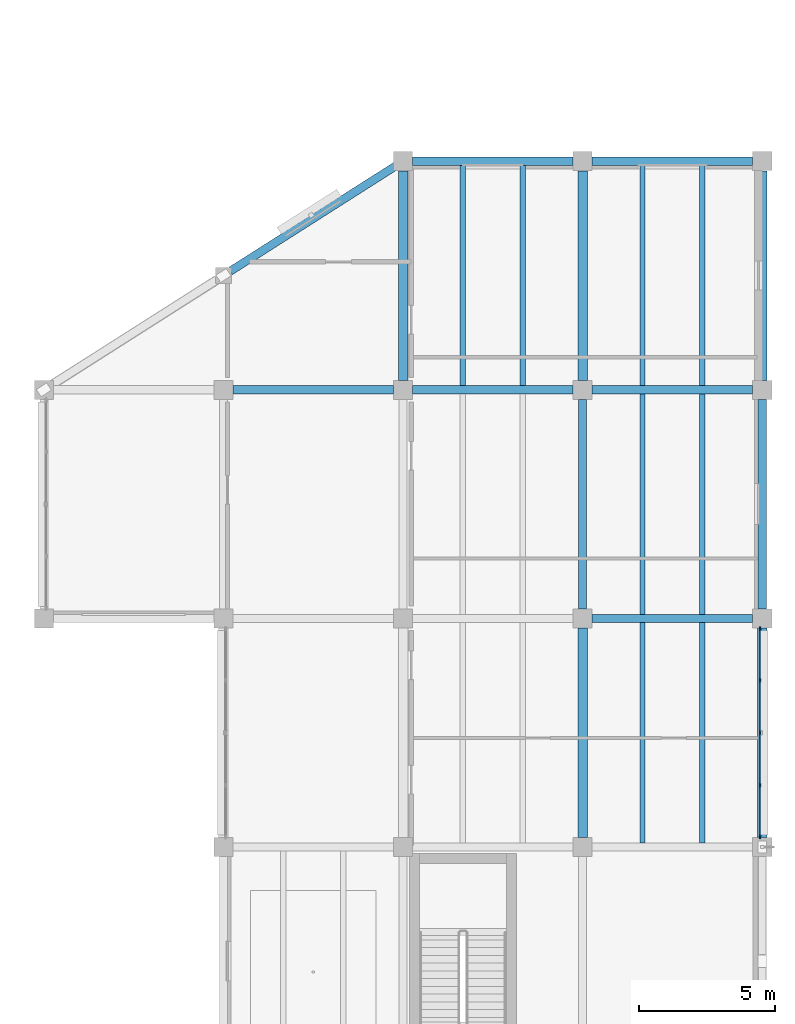
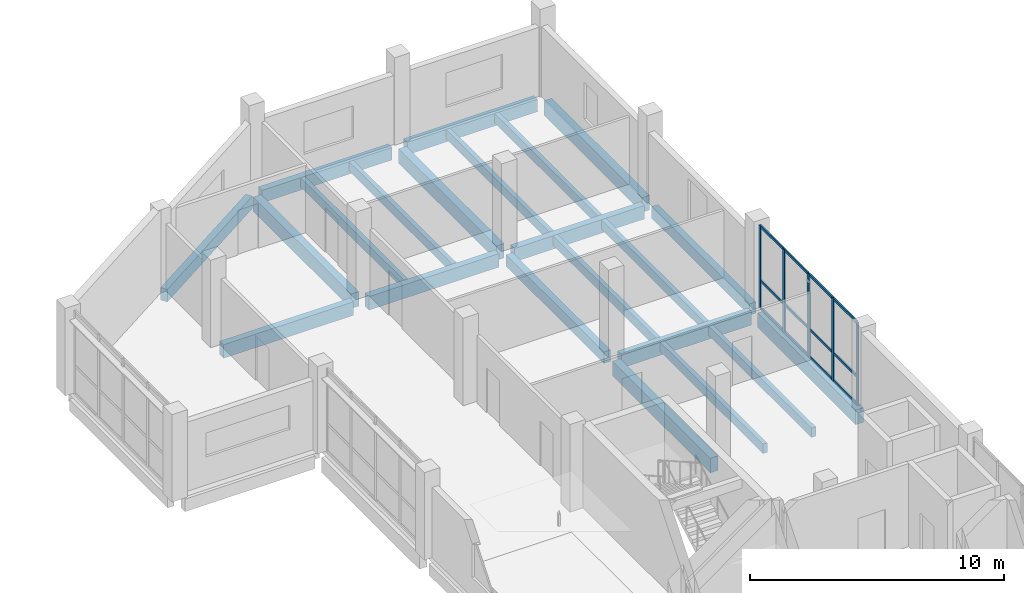
# One storey, part 5 of 19: 22 beams, 17 members, 1 element without a shape of its own.
"""IFC4 building model written with IfcOpenShell, lengths in metres."""

from ifc_helpers import new_model, si_unit, direction, frame, origin, origin_2d, place, context, subcontext, project, spatial, rectangle, extrude, material, material_profile, profile_set, type_object, element, aggregate, save


model = new_model("IFC4")

# Units and contexts
model_context = context("Model", 3, precision=1e-05, world=origin(), true_north=direction((0.0, 1.0)))
body_context = subcontext(model_context, "Body", "Model", "MODEL_VIEW")
ifc_project = project(units=[si_unit("LENGTHUNIT", "METRE"), si_unit("AREAUNIT", "SQUARE_METRE"), si_unit("VOLUMEUNIT", "CUBIC_METRE"), si_unit("PLANEANGLEUNIT", "RADIAN"), si_unit("MASSUNIT", "GRAM", prefix="KILO")], contexts=[model_context])

# Site, building, storey
site_placement = place(None, origin())
site = spatial("IfcSite", under=ifc_project, at=site_placement, CompositionType="ELEMENT")
building_placement = place(site_placement, origin())
building = spatial("IfcBuilding", under=site, at=building_placement, Name="Qaldarim Faculty of Natural and Applied Sciences", CompositionType="ELEMENT")
storey_placement = place(building_placement, frame((0.0, 0.0, 27.0)))
storey = spatial("IfcBuildingStorey", under=building, at=storey_placement, Name="L06", CompositionType="ELEMENT", Elevation=27.0)

# Beams
ifc_material_1 = material(Name="Concrete C40/50", Category="concrete")
ifc_material_profile_1 = material_profile(ifc_material_1, rectangle(XDim=0.300048828125, YDim=0.550048828125, at=origin_2d()), Name="RC-B300x550")
ifc_profile_set_1 = profile_set([ifc_material_profile_1], Name="Concrete C40/50")
beam_type_1 = type_object("IfcBeamType", Name="FloorBeam-RC300x550", PredefinedType="BEAM", material=ifc_profile_set_1)
for number, where, z_axis, x_axis, name in (
    (1, (171.60009765625, 42.35009765625, -0.4951171875), (0.0, 1.0, 0.0), (-1.0, 0.0, 0.0), "Beam RC-B300x550 L05 X27/Y06-Y07"),
    (2, (178.199951171875, 42.35009765625, -0.4951171875), (0.0, 1.0, 0.0), (-1.0, 0.0, 0.0), "Beam RC-B300x550 L05 X28/Y06-Y07"),
):
    element("IfcBeam", number, at=place(storey_placement, frame(where, z_axis=z_axis, x_axis=x_axis)), inside=storey, type_object=beam_type_1, Name=name, PredefinedType="BEAM", context=body_context, shape_type="SweptSolid", body=[
        extrude(rectangle(XDim=0.300048828125, YDim=0.550048828125, at=origin_2d()), origin(), (0.0, 0.0, 1.0), 7.699951171875),
    ])
ifc_material_profile_2 = material_profile(ifc_material_1, rectangle(XDim=0.199951171875, YDim=0.449951171875, at=origin_2d()), Name="RC-J200x450")
ifc_profile_set_2 = profile_set([ifc_material_profile_2], Name="Concrete C40/50")
beam_type_2 = type_object("IfcBeamType", Name="LabJoist-RC200x450", PredefinedType="JOIST", material=ifc_profile_set_2)
for number, where, z_axis, x_axis, name in (
    (3, (167.199951171875, 50.550048828125, -0.445068359375), (0.0, 1.0, 0.0), (-1.0, 0.0, 0.0), "Laboratory joist L05 bay X26Y07-1"),
    (4, (169.39990234375, 50.550048828125, -0.445068359375), (0.0, 1.0, 0.0), (-1.0, 0.0, 0.0), "Laboratory joist L05 bay X26Y07-2"),
):
    element("IfcBeam", number, at=place(storey_placement, frame(where, z_axis=z_axis, x_axis=x_axis)), inside=storey, type_object=beam_type_2, Name=name, PredefinedType="JOIST", context=body_context, shape_type="SweptSolid", body=[
        extrude(rectangle(XDim=0.199951171875, YDim=0.449951171875, at=origin_2d()), origin(), (0.0, 0.0, 1.0), 8.099853515625),
    ])
for number, where, z_axis, x_axis, name in (
    (5, (173.800048828125, 33.75, -0.445068359375), (0.0, 1.0, 0.0), (-1.0, 0.0, 0.0), "Laboratory joist L05 bay X27Y05-1"),
    (6, (176.0, 33.75, -0.445068359375), (0.0, 1.0, 0.0), (-1.0, 0.0, 0.0), "Laboratory joist L05 bay X27Y05-2"),
    (7, (173.800048828125, 42.14990234375, -0.445068359375), (0.0, 1.0, 0.0), (-1.0, 0.0, 0.0), "Laboratory joist L05 bay X27Y06-1"),
    (8, (176.0, 42.14990234375, -0.445068359375), (0.0, 1.0, 0.0), (-1.0, 0.0, 0.0), "Laboratory joist L05 bay X27Y06-2"),
):
    element("IfcBeam", number, at=place(storey_placement, frame(where, z_axis=z_axis, x_axis=x_axis)), inside=storey, type_object=beam_type_2, Name=name, PredefinedType="JOIST", context=body_context, shape_type="SweptSolid", body=[
        extrude(rectangle(XDim=0.199951171875, YDim=0.449951171875, at=origin_2d()), origin(), (0.0, 0.0, 1.0), 8.10009765625),
    ])
for number, where, z_axis, x_axis, name in (
    (9, (173.800048828125, 50.550048828125, -0.445068359375), (0.0, 1.0, 0.0), (-1.0, 0.0, 0.0), "Laboratory joist L05 bay X27Y07-1"),
    (10, (176.0, 50.550048828125, -0.445068359375), (0.0, 1.0, 0.0), (-1.0, 0.0, 0.0), "Laboratory joist L05 bay X27Y07-2"),
):
    element("IfcBeam", number, at=place(storey_placement, frame(where, z_axis=z_axis, x_axis=x_axis)), inside=storey, type_object=beam_type_2, Name=name, PredefinedType="JOIST", context=body_context, shape_type="SweptSolid", body=[
        extrude(rectangle(XDim=0.199951171875, YDim=0.449951171875, at=origin_2d()), origin(), (0.0, 0.0, 1.0), 8.099853515625),
    ])

# Curtain wall, members
ifc_material_2 = material(Name="Anodised aluminium AW-6063", Category="aluminium")
curtain_wall_type = type_object("IfcCurtainWallType", Name="CurtainWallSystem-M1800", PredefinedType="USERDEFINED", material=ifc_material_2)
curtain_wall_placement = place(storey_placement, origin())
curtain_wall = element("IfcCurtainWall", 11, at=curtain_wall_placement, inside=storey, type_object=curtain_wall_type, Name="Curtain wall CW-L06-E-X27Y05", ObjectType="UNITISED FACADE", PredefinedType="USERDEFINED")
ifc_material_profile_3 = material_profile(ifc_material_2, rectangle(XDim=0.06005859375, YDim=0.14990234375, at=origin_2d()), Name="ALU-M60x150")
ifc_profile_set_3 = profile_set([ifc_material_profile_3], Name="Anodised aluminium AW-6063")
member_type_1 = type_object("IfcMemberType", Name="Mullion-ALU60x150", PredefinedType="MULLION", material=ifc_profile_set_3)
member_1_placement = place(storey_placement, frame((178.1201171875, 33.97509765625, 0.0), z_axis=(0.0, 0.0, 1.0), x_axis=(-1.0, 0.0, 0.0)))
member_1 = element("IfcMember", 12, at=member_1_placement, type_object=member_type_1, Name="Mullion 1 of CW-L06-E-X27Y05", PredefinedType="MULLION", context=body_context, shape_type="SweptSolid", body=[
    extrude(rectangle(XDim=0.06005859375, YDim=0.14990234375, at=origin_2d()), origin(), (0.0, 0.0, 1.0), 3.97998046875),
])
member_2_placement = place(storey_placement, frame((178.1201171875, 35.87255859375, 0.0), z_axis=(0.0, 0.0, 1.0), x_axis=(-1.0, 0.0, 0.0)))
member_2 = element("IfcMember", 13, at=member_2_placement, type_object=member_type_1, Name="Mullion 2 of CW-L06-E-X27Y05", PredefinedType="MULLION", context=body_context, shape_type="SweptSolid", body=[
    extrude(rectangle(XDim=0.06005859375, YDim=0.14990234375, at=origin_2d()), origin(), (0.0, 0.0, 1.0), 3.97998046875),
])
member_3_placement = place(storey_placement, frame((178.1201171875, 37.800048828125, 0.0), z_axis=(0.0, 0.0, 1.0), x_axis=(-1.0, 0.0, 0.0)))
member_3 = element("IfcMember", 14, at=member_3_placement, type_object=member_type_1, Name="Mullion 3 of CW-L06-E-X27Y05", PredefinedType="MULLION", context=body_context, shape_type="SweptSolid", body=[
    extrude(rectangle(XDim=0.06005859375, YDim=0.14990234375, at=origin_2d()), origin(), (0.0, 0.0, 1.0), 3.97998046875),
])
member_4_placement = place(storey_placement, frame((178.1201171875, 39.7275390625, 0.0), z_axis=(0.0, 0.0, 1.0), x_axis=(-1.0, 0.0, 0.0)))
member_4 = element("IfcMember", 15, at=member_4_placement, type_object=member_type_1, Name="Mullion 4 of CW-L06-E-X27Y05", PredefinedType="MULLION", context=body_context, shape_type="SweptSolid", body=[
    extrude(rectangle(XDim=0.06005859375, YDim=0.14990234375, at=origin_2d()), origin(), (0.0, 0.0, 1.0), 3.97998046875),
])
member_5_placement = place(storey_placement, frame((178.1201171875, 41.625, 0.0), z_axis=(0.0, 0.0, 1.0), x_axis=(-1.0, 0.0, 0.0)))
member_5 = element("IfcMember", 16, at=member_5_placement, type_object=member_type_1, Name="Mullion 5 of CW-L06-E-X27Y05", PredefinedType="MULLION", context=body_context, shape_type="SweptSolid", body=[
    extrude(rectangle(XDim=0.06005859375, YDim=0.14990234375, at=origin_2d()), origin(), (0.0, 0.0, 1.0), 3.97998046875),
])

# Beams
ifc_material_profile_4 = material_profile(ifc_material_1, rectangle(XDim=0.300048828125, YDim=0.64990234375, at=origin_2d()), Name="RC-B300x650")
ifc_profile_set_4 = profile_set([ifc_material_profile_4], Name="Concrete C40/50")
beam_type_3 = type_object("IfcBeamType", Name="PrimaryBeam-RC300x650", PredefinedType="BEAM", material=ifc_profile_set_4)
beam_1_placement = place(storey_placement, frame((171.949951171875, 42.0, -0.544921875), z_axis=(1.0, 0.0, 0.0), x_axis=(0.0, 1.0, 0.0)))
element("IfcBeam", 17, at=beam_1_placement, inside=storey, type_object=beam_type_3, Name="Beam RC-B300x650 L05 X27-X28/Y06", PredefinedType="BEAM", context=body_context, shape_type="SweptSolid", body=[
    extrude(rectangle(XDim=0.300048828125, YDim=0.64990234375, at=origin_2d()), origin(), (0.0, 0.0, 1.0), 5.900146484375),
])
for number, where, z_axis, x_axis, name in (
    (18, (158.75, 50.39990234375, -0.544921875), (1.0, 0.0, 0.0), (0.0, 1.0, 0.0), "Beam RC-B300x650 L05 X25-X26/Y07"),
    (19, (165.35009765625, 50.39990234375, -0.544921875), (1.0, 0.0, 0.0), (0.0, 1.0, 0.0), "Beam RC-B300x650 L05 X26-X27/Y07"),
):
    element("IfcBeam", number, at=place(storey_placement, frame(where, z_axis=z_axis, x_axis=x_axis)), inside=storey, type_object=beam_type_3, Name=name, PredefinedType="BEAM", context=body_context, shape_type="SweptSolid", body=[
        extrude(rectangle(XDim=0.300048828125, YDim=0.64990234375, at=origin_2d()), origin(), (0.0, 0.0, 1.0), 5.89990234375),
    ])
beam_2_placement = place(storey_placement, frame((171.949951171875, 50.39990234375, -0.544921875), z_axis=(1.0, 0.0, 0.0), x_axis=(0.0, 1.0, 0.0)))
element("IfcBeam", 20, at=beam_2_placement, inside=storey, type_object=beam_type_3, Name="Beam RC-B300x650 L05 X27-X28/Y07", PredefinedType="BEAM", context=body_context, shape_type="SweptSolid", body=[
    extrude(rectangle(XDim=0.300048828125, YDim=0.64990234375, at=origin_2d()), origin(), (0.0, 0.0, 1.0), 5.900146484375),
])
ifc_material_profile_5 = material_profile(ifc_material_1, rectangle(XDim=0.35009765625, YDim=0.699951171875, at=origin_2d()), Name="RC-B350x700")
ifc_profile_set_5 = profile_set([ifc_material_profile_5], Name="Concrete C40/50")
beam_type_4 = type_object("IfcBeamType", Name="PrimaryGirder-RC350x700", PredefinedType="BEAM", material=ifc_profile_set_5)
for number, where, z_axis, x_axis, name in (
    (21, (165.0, 50.75, -0.570068359375), (0.0, 1.0, 0.0), (-1.0, 0.0, 0.0), "Beam RC-B350x700 L05 X26/Y07-Y08"),
    (22, (171.60009765625, 33.949951171875, -0.570068359375), (0.0, 1.0, 0.0), (-1.0, 0.0, 0.0), "Beam RC-B350x700 L05 X27/Y05-Y06"),
    (23, (171.60009765625, 50.75, -0.570068359375), (0.0, 1.0, 0.0), (-1.0, 0.0, 0.0), "Beam RC-B350x700 L05 X27/Y07-Y08"),
    (24, (178.199951171875, 33.949951171875, -0.570068359375), (0.0, 1.0, 0.0), (-1.0, 0.0, 0.0), "Beam RC-B350x700 L05 X28/Y05-Y06"),
    (25, (178.199951171875, 50.75, -0.570068359375), (0.0, 1.0, 0.0), (-1.0, 0.0, 0.0), "Beam RC-B350x700 L05 X28/Y07-Y08"),
):
    element("IfcBeam", number, at=place(storey_placement, frame(where, z_axis=z_axis, x_axis=x_axis)), inside=storey, type_object=beam_type_4, Name=name, PredefinedType="BEAM", context=body_context, shape_type="SweptSolid", body=[
        extrude(rectangle(XDim=0.35009765625, YDim=0.699951171875, at=origin_2d()), origin(), (0.0, 0.0, 1.0), 7.699951171875),
    ])
ifc_material_3 = material(Name="Precast concrete C40/50", Category="concrete")
ifc_material_profile_6 = material_profile(ifc_material_3, rectangle(XDim=0.300048828125, YDim=0.60009765625, at=origin_2d()), Name="RC-SP300x600")
ifc_profile_set_6 = profile_set([ifc_material_profile_6], Name="Precast concrete C40/50")
beam_type_5 = type_object("IfcBeamType", Name="SpandrelBeam-RC300x600", PredefinedType="SPANDREL", material=ifc_profile_set_6)
beam_3_placement = place(storey_placement, frame((165.35009765625, 58.800048828125, -0.52001953125), z_axis=(1.0, 0.0, 0.0), x_axis=(0.0, 1.0, 0.0)))
element("IfcBeam", 26, at=beam_3_placement, inside=storey, type_object=beam_type_5, Name="Beam RC-SP300x600 L05 X26-X27/Y08", PredefinedType="SPANDREL", context=body_context, shape_type="SweptSolid", body=[
    extrude(rectangle(XDim=0.300048828125, YDim=0.60009765625, at=origin_2d()), origin(), (0.0, 0.0, 1.0), 5.89990234375),
])
beam_4_placement = place(storey_placement, frame((171.949951171875, 58.800048828125, -0.52001953125), z_axis=(1.0, 0.0, 0.0), x_axis=(0.0, 1.0, 0.0)))
element("IfcBeam", 27, at=beam_4_placement, inside=storey, type_object=beam_type_5, Name="Beam RC-SP300x600 L05 X27-X28/Y08", PredefinedType="SPANDREL", context=body_context, shape_type="SweptSolid", body=[
    extrude(rectangle(XDim=0.300048828125, YDim=0.60009765625, at=origin_2d()), origin(), (0.0, 0.0, 1.0), 5.900146484375),
])
beam_5_placement = place(storey_placement, frame((158.64990234375, 54.760009765625, -0.52001953125), z_axis=(0.843786613851, 0.536678814829, 0.0), x_axis=(-0.536678814829, 0.843786613851, 0.0)))
element("IfcBeam", 28, at=beam_5_placement, inside=storey, type_object=beam_type_5, Name="Oblique NW chamfer spandrel L05 2", PredefinedType="SPANDREL", context=body_context, shape_type="SweptSolid", body=[
    extrude(rectangle(XDim=0.300048828125, YDim=0.60009765625, at=origin_2d()), origin(), (0.0, 0.0, 1.0), 7.2294921875),
])

# Member
ifc_material_profile_7 = material_profile(ifc_material_2, rectangle(XDim=0.06005859375, YDim=0.1201171875, at=origin_2d()), Name="ALU-T60x120")
ifc_profile_set_7 = profile_set([ifc_material_profile_7], Name="Anodised aluminium AW-6063")
member_type_2 = type_object("IfcMemberType", Name="Transom-ALU60x120", PredefinedType="USERDEFINED", material=ifc_profile_set_7)
member_6_placement = place(storey_placement, frame((178.1201171875, 34.0048828125, 0.030029296875), z_axis=(0.0, 1.0, 0.0), x_axis=(-1.0, 0.0, 0.0)))
member_6 = element("IfcMember", 29, at=member_6_placement, type_object=member_type_2, Name="Transom 1-1 of CW-L06-E-X27Y05", ObjectType="TRANSOM", PredefinedType="USERDEFINED", context=body_context, shape_type="SweptSolid", body=[
    extrude(rectangle(XDim=0.06005859375, YDim=0.1201171875, at=origin_2d()), origin(), (0.0, 0.0, 1.0), 1.837646484375),
])

member_7_placement = place(storey_placement, frame((178.1201171875, 34.0048828125, 1.35009765625), z_axis=(0.0, 1.0, 0.0), x_axis=(-1.0, 0.0, 0.0)))
member_7 = element("IfcMember", 30, at=member_7_placement, type_object=member_type_2, Name="Transom 1-2 of CW-L06-E-X27Y05", ObjectType="TRANSOM", PredefinedType="USERDEFINED", context=body_context, shape_type="SweptSolid", body=[
    extrude(rectangle(XDim=0.06005859375, YDim=0.1201171875, at=origin_2d()), origin(), (0.0, 0.0, 1.0), 1.837646484375),
])

member_8_placement = place(storey_placement, frame((178.1201171875, 34.0048828125, 3.949951171875), z_axis=(0.0, 1.0, 0.0), x_axis=(-1.0, 0.0, 0.0)))
member_8 = element("IfcMember", 31, at=member_8_placement, type_object=member_type_2, Name="Transom 1-3 of CW-L06-E-X27Y05", ObjectType="TRANSOM", PredefinedType="USERDEFINED", context=body_context, shape_type="SweptSolid", body=[
    extrude(rectangle(XDim=0.06005859375, YDim=0.1201171875, at=origin_2d()), origin(), (0.0, 0.0, 1.0), 1.837646484375),
])

member_9_placement = place(storey_placement, frame((178.1201171875, 35.902587890625, 0.030029296875), z_axis=(0.0, 1.0, 0.0), x_axis=(-1.0, 0.0, 0.0)))
member_9 = element("IfcMember", 32, at=member_9_placement, type_object=member_type_2, Name="Transom 2-1 of CW-L06-E-X27Y05", ObjectType="TRANSOM", PredefinedType="USERDEFINED", context=body_context, shape_type="SweptSolid", body=[
    extrude(rectangle(XDim=0.06005859375, YDim=0.1201171875, at=origin_2d()), origin(), (0.0, 0.0, 1.0), 1.867431640625),
])

member_10_placement = place(storey_placement, frame((178.1201171875, 35.902587890625, 1.35009765625), z_axis=(0.0, 1.0, 0.0), x_axis=(-1.0, 0.0, 0.0)))
member_10 = element("IfcMember", 33, at=member_10_placement, type_object=member_type_2, Name="Transom 2-2 of CW-L06-E-X27Y05", ObjectType="TRANSOM", PredefinedType="USERDEFINED", context=body_context, shape_type="SweptSolid", body=[
    extrude(rectangle(XDim=0.06005859375, YDim=0.1201171875, at=origin_2d()), origin(), (0.0, 0.0, 1.0), 1.867431640625),
])

member_11_placement = place(storey_placement, frame((178.1201171875, 35.902587890625, 3.949951171875), z_axis=(0.0, 1.0, 0.0), x_axis=(-1.0, 0.0, 0.0)))
member_11 = element("IfcMember", 34, at=member_11_placement, type_object=member_type_2, Name="Transom 2-3 of CW-L06-E-X27Y05", ObjectType="TRANSOM", PredefinedType="USERDEFINED", context=body_context, shape_type="SweptSolid", body=[
    extrude(rectangle(XDim=0.06005859375, YDim=0.1201171875, at=origin_2d()), origin(), (0.0, 0.0, 1.0), 1.867431640625),
])

member_12_placement = place(storey_placement, frame((178.1201171875, 37.830078125, 0.030029296875), z_axis=(0.0, 1.0, 0.0), x_axis=(-1.0, 0.0, 0.0)))
member_12 = element("IfcMember", 35, at=member_12_placement, type_object=member_type_2, Name="Transom 3-1 of CW-L06-E-X27Y05", ObjectType="TRANSOM", PredefinedType="USERDEFINED", context=body_context, shape_type="SweptSolid", body=[
    extrude(rectangle(XDim=0.06005859375, YDim=0.1201171875, at=origin_2d()), origin(), (0.0, 0.0, 1.0), 1.867431640625),
])

member_13_placement = place(storey_placement, frame((178.1201171875, 37.830078125, 1.35009765625), z_axis=(0.0, 1.0, 0.0), x_axis=(-1.0, 0.0, 0.0)))
member_13 = element("IfcMember", 36, at=member_13_placement, type_object=member_type_2, Name="Transom 3-2 of CW-L06-E-X27Y05", ObjectType="TRANSOM", PredefinedType="USERDEFINED", context=body_context, shape_type="SweptSolid", body=[
    extrude(rectangle(XDim=0.06005859375, YDim=0.1201171875, at=origin_2d()), origin(), (0.0, 0.0, 1.0), 1.867431640625),
])

member_14_placement = place(storey_placement, frame((178.1201171875, 37.830078125, 3.949951171875), z_axis=(0.0, 1.0, 0.0), x_axis=(-1.0, 0.0, 0.0)))
member_14 = element("IfcMember", 37, at=member_14_placement, type_object=member_type_2, Name="Transom 3-3 of CW-L06-E-X27Y05", ObjectType="TRANSOM", PredefinedType="USERDEFINED", context=body_context, shape_type="SweptSolid", body=[
    extrude(rectangle(XDim=0.06005859375, YDim=0.1201171875, at=origin_2d()), origin(), (0.0, 0.0, 1.0), 1.867431640625),
])

member_15_placement = place(storey_placement, frame((178.1201171875, 39.757568359375, 0.030029296875), z_axis=(0.0, 1.0, 0.0), x_axis=(-1.0, 0.0, 0.0)))
member_15 = element("IfcMember", 38, at=member_15_placement, type_object=member_type_2, Name="Transom 4-1 of CW-L06-E-X27Y05", ObjectType="TRANSOM", PredefinedType="USERDEFINED", context=body_context, shape_type="SweptSolid", body=[
    extrude(rectangle(XDim=0.06005859375, YDim=0.1201171875, at=origin_2d()), origin(), (0.0, 0.0, 1.0), 1.83740234375),
])

member_16_placement = place(storey_placement, frame((178.1201171875, 39.757568359375, 1.35009765625), z_axis=(0.0, 1.0, 0.0), x_axis=(-1.0, 0.0, 0.0)))
member_16 = element("IfcMember", 39, at=member_16_placement, type_object=member_type_2, Name="Transom 4-2 of CW-L06-E-X27Y05", ObjectType="TRANSOM", PredefinedType="USERDEFINED", context=body_context, shape_type="SweptSolid", body=[
    extrude(rectangle(XDim=0.06005859375, YDim=0.1201171875, at=origin_2d()), origin(), (0.0, 0.0, 1.0), 1.83740234375),
])

member_17_placement = place(storey_placement, frame((178.1201171875, 39.757568359375, 3.949951171875), z_axis=(0.0, 1.0, 0.0), x_axis=(-1.0, 0.0, 0.0)))
member_17 = element("IfcMember", 40, at=member_17_placement, type_object=member_type_2, Name="Transom 4-3 of CW-L06-E-X27Y05", ObjectType="TRANSOM", PredefinedType="USERDEFINED", context=body_context, shape_type="SweptSolid", body=[
    extrude(rectangle(XDim=0.06005859375, YDim=0.1201171875, at=origin_2d()), origin(), (0.0, 0.0, 1.0), 1.83740234375),
])

aggregate(curtain_wall, [member_1, member_2, member_3, member_4, member_5, member_6, member_7, member_8, member_9, member_10, member_11, member_12, member_13, member_14, member_15, member_16, member_17])

save(model, "model.ifc")
